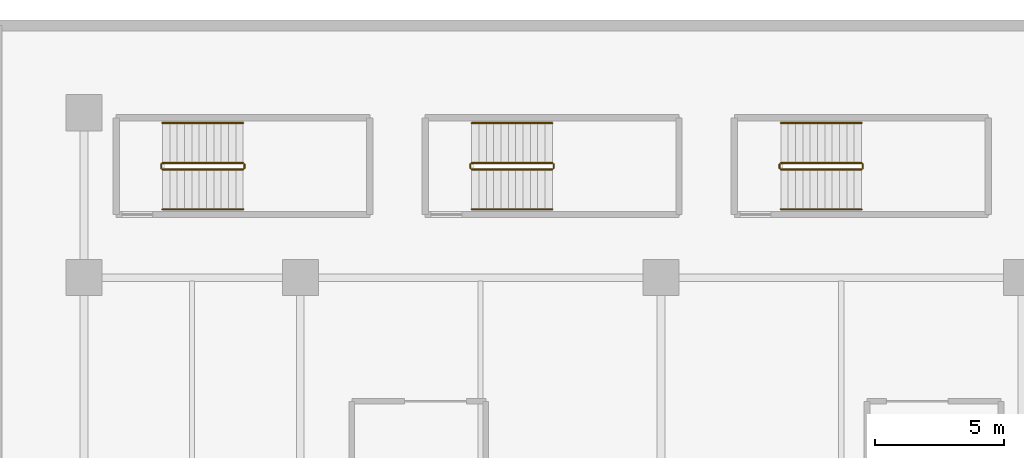
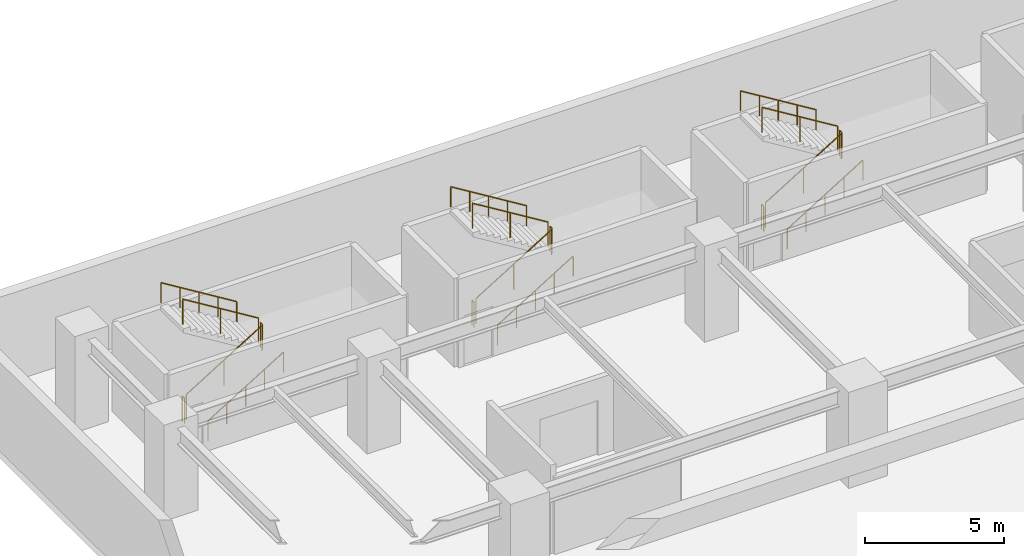
# One storey, part 24 of 25: 18 railings.
"""IFC4 building model written with IfcOpenShell, lengths in metres."""

from ifc_helpers import new_model, si_unit, direction, frame, origin, origin_2d, place, context, subcontext, project, spatial, circle, extrude, material, type_object, element, save


model = new_model("IFC4")

# Units and contexts
model_context = context("Model", 3, precision=1e-05, world=origin(), true_north=direction((0.0, 1.0)))
body_context = subcontext(model_context, "Body", "Model", "MODEL_VIEW")
ifc_project = project(units=[si_unit("LENGTHUNIT", "METRE"), si_unit("AREAUNIT", "SQUARE_METRE"), si_unit("VOLUMEUNIT", "CUBIC_METRE"), si_unit("PLANEANGLEUNIT", "RADIAN"), si_unit("MASSUNIT", "GRAM", prefix="KILO")], contexts=[model_context])

# Site, building, storey
site_placement = place(None, origin())
site = spatial("IfcSite", under=ifc_project, at=site_placement, CompositionType="ELEMENT")
building_placement = place(site_placement, origin())
building = spatial("IfcBuilding", under=site, at=building_placement, Name="Narakoshi Arena Tower", CompositionType="ELEMENT")
storey_placement = place(building_placement, frame((0.0, 0.0, 9.0)))
storey = spatial("IfcBuildingStorey", under=building, at=storey_placement, Name="L02", CompositionType="ELEMENT", Elevation=9.0)

# Railings
ifc_material_1 = material(Name="Clear low-iron laminated structural glass", Category="glass")
railing_type_1 = type_object("IfcRailingType", Name="RL-BAL-1100", PredefinedType="BALUSTRADE", material=ifc_material_1)
railing_1_placement = place(storey_placement, frame((6.64990234375, 90.199951171875, 0.175048828125)))
element("IfcRailing", 1, at=railing_1_placement, inside=storey, type_object=railing_type_1, Name="L02 AST5 stair guard 1", PredefinedType="BALUSTRADE", context=body_context, shape_type="SweptSolid", body=[
    extrude(circle(Radius=0.02392578125, at=origin_2d()), frame((0.0, 0.0, 1.09619140625), z_axis=(0.852166034122, 0.0, 0.523271488128), x_axis=(0.0, 1.0, 0.0)), (0.0, 0.0, 1.0), 3.678955078125),
    extrude(circle(Radius=0.02099609375, at=origin_2d()), origin(), (0.0, 0.0, 1.0), 1.072021484375),
    extrude(circle(Radius=0.02099609375, at=origin_2d()), frame((1.5673828125, 0.0, 0.96240234375)), (0.0, 0.0, 1.0), 1.072021484375),
    extrude(circle(Radius=0.02099609375, at=origin_2d()), frame((3.135009765625, 0.0, 1.925048828125)), (0.0, 0.0, 1.0), 1.072021484375),
])
railing_2_placement = place(storey_placement, frame((9.8349609375, 90.25, 2.10009765625)))
element("IfcRailing", 2, at=railing_2_placement, inside=storey, type_object=railing_type_1, Name="L02 AST5 stair guard 2", PredefinedType="BALUSTRADE", context=body_context, shape_type="SweptSolid", body=[
    extrude(circle(Radius=0.02392578125, at=origin_2d()), frame((0.0, 0.0, 1.09619140625), z_axis=(0.0, 1.0, 0.0), x_axis=(-1.0, 0.0, 0.0)), (0.0, 0.0, 1.0), 0.14990234375),
    extrude(circle(Radius=0.02099609375, at=origin_2d()), origin(), (0.0, 0.0, 1.0), 1.072021484375),
    extrude(circle(Radius=0.02099609375, at=origin_2d()), frame((0.0, 0.14990234375, 0.0)), (0.0, 0.0, 1.0), 1.072021484375),
])
railing_3_placement = place(storey_placement, frame((9.784912109375, 90.449951171875, 2.27490234375)))
element("IfcRailing", 3, at=railing_3_placement, inside=storey, type_object=railing_type_1, Name="L02 AST5 stair guard 3", PredefinedType="BALUSTRADE", context=body_context, shape_type="SweptSolid", body=[
    extrude(circle(Radius=0.02392578125, at=origin_2d()), frame((0.0, 0.0, 1.09619140625), z_axis=(-0.852166034122, 0.0, 0.523271488128), x_axis=(0.0, -1.0, 0.0)), (0.0, 0.0, 1.0), 3.678955078125),
    extrude(circle(Radius=0.02099609375, at=origin_2d()), origin(), (0.0, 0.0, 1.0), 1.072021484375),
    extrude(circle(Radius=0.02099609375, at=origin_2d()), frame((-1.5673828125, 0.0, 0.96240234375)), (0.0, 0.0, 1.0), 1.072021484375),
    extrude(circle(Radius=0.02099609375, at=origin_2d()), frame((-3.135009765625, 0.0, 1.925048828125)), (0.0, 0.0, 1.0), 1.072021484375),
])
railing_4_placement = place(storey_placement, frame((6.60009765625, 90.25, 0.0)))
element("IfcRailing", 4, at=railing_4_placement, inside=storey, type_object=railing_type_1, Name="L02 AST5 stair guard 4", PredefinedType="BALUSTRADE", context=body_context, shape_type="SweptSolid", body=[
    extrude(circle(Radius=0.02392578125, at=origin_2d()), frame((0.0, 0.0, 1.09619140625), z_axis=(0.0, 1.0, 0.0), x_axis=(-1.0, 0.0, 0.0)), (0.0, 0.0, 1.0), 0.14990234375),
    extrude(circle(Radius=0.02099609375, at=origin_2d()), origin(), (0.0, 0.0, 1.0), 1.072021484375),
    extrude(circle(Radius=0.02099609375, at=origin_2d()), frame((0.0, 0.14990234375, 0.0)), (0.0, 0.0, 1.0), 1.072021484375),
])
railing_5_placement = place(storey_placement, frame((18.64990234375, 90.199951171875, 0.175048828125)))
element("IfcRailing", 5, at=railing_5_placement, inside=storey, type_object=railing_type_1, Name="L02 AST6 stair guard 1", PredefinedType="BALUSTRADE", context=body_context, shape_type="SweptSolid", body=[
    extrude(circle(Radius=0.02392578125, at=origin_2d()), frame((0.0, 0.0, 1.09619140625), z_axis=(0.852166034122, 0.0, 0.523271488128), x_axis=(0.0, 1.0, 0.0)), (0.0, 0.0, 1.0), 3.678955078125),
    extrude(circle(Radius=0.02099609375, at=origin_2d()), origin(), (0.0, 0.0, 1.0), 1.072021484375),
    extrude(circle(Radius=0.02099609375, at=origin_2d()), frame((1.5673828125, 0.0, 0.96240234375)), (0.0, 0.0, 1.0), 1.072021484375),
    extrude(circle(Radius=0.02099609375, at=origin_2d()), frame((3.135009765625, 0.0, 1.925048828125)), (0.0, 0.0, 1.0), 1.072021484375),
])
railing_6_placement = place(storey_placement, frame((21.8349609375, 90.25, 2.10009765625)))
element("IfcRailing", 6, at=railing_6_placement, inside=storey, type_object=railing_type_1, Name="L02 AST6 stair guard 2", PredefinedType="BALUSTRADE", context=body_context, shape_type="SweptSolid", body=[
    extrude(circle(Radius=0.02392578125, at=origin_2d()), frame((0.0, 0.0, 1.09619140625), z_axis=(0.0, 1.0, 0.0), x_axis=(-1.0, 0.0, 0.0)), (0.0, 0.0, 1.0), 0.14990234375),
    extrude(circle(Radius=0.02099609375, at=origin_2d()), origin(), (0.0, 0.0, 1.0), 1.072021484375),
    extrude(circle(Radius=0.02099609375, at=origin_2d()), frame((0.0, 0.14990234375, 0.0)), (0.0, 0.0, 1.0), 1.072021484375),
])
railing_7_placement = place(storey_placement, frame((21.784912109375, 90.449951171875, 2.27490234375)))
element("IfcRailing", 7, at=railing_7_placement, inside=storey, type_object=railing_type_1, Name="L02 AST6 stair guard 3", PredefinedType="BALUSTRADE", context=body_context, shape_type="SweptSolid", body=[
    extrude(circle(Radius=0.02392578125, at=origin_2d()), frame((0.0, 0.0, 1.09619140625), z_axis=(-0.852166034122, 0.0, 0.523271488128), x_axis=(0.0, -1.0, 0.0)), (0.0, 0.0, 1.0), 3.678955078125),
    extrude(circle(Radius=0.02099609375, at=origin_2d()), origin(), (0.0, 0.0, 1.0), 1.072021484375),
    extrude(circle(Radius=0.02099609375, at=origin_2d()), frame((-1.5673828125, 0.0, 0.96240234375)), (0.0, 0.0, 1.0), 1.072021484375),
    extrude(circle(Radius=0.02099609375, at=origin_2d()), frame((-3.135009765625, 0.0, 1.925048828125)), (0.0, 0.0, 1.0), 1.072021484375),
])
railing_8_placement = place(storey_placement, frame((18.60009765625, 90.25, 0.0)))
element("IfcRailing", 8, at=railing_8_placement, inside=storey, type_object=railing_type_1, Name="L02 AST6 stair guard 4", PredefinedType="BALUSTRADE", context=body_context, shape_type="SweptSolid", body=[
    extrude(circle(Radius=0.02392578125, at=origin_2d()), frame((0.0, 0.0, 1.09619140625), z_axis=(0.0, 1.0, 0.0), x_axis=(-1.0, 0.0, 0.0)), (0.0, 0.0, 1.0), 0.14990234375),
    extrude(circle(Radius=0.02099609375, at=origin_2d()), origin(), (0.0, 0.0, 1.0), 1.072021484375),
    extrude(circle(Radius=0.02099609375, at=origin_2d()), frame((0.0, 0.14990234375, 0.0)), (0.0, 0.0, 1.0), 1.072021484375),
])
railing_9_placement = place(storey_placement, frame((30.64990234375, 90.199951171875, 0.175048828125)))
element("IfcRailing", 9, at=railing_9_placement, inside=storey, type_object=railing_type_1, Name="L02 AST7 stair guard 1", PredefinedType="BALUSTRADE", context=body_context, shape_type="SweptSolid", body=[
    extrude(circle(Radius=0.02392578125, at=origin_2d()), frame((0.0, 0.0, 1.09619140625), z_axis=(0.852166034122, 0.0, 0.523271488128), x_axis=(0.0, 1.0, 0.0)), (0.0, 0.0, 1.0), 3.678955078125),
    extrude(circle(Radius=0.02099609375, at=origin_2d()), origin(), (0.0, 0.0, 1.0), 1.072021484375),
    extrude(circle(Radius=0.02099609375, at=origin_2d()), frame((1.5673828125, 0.0, 0.96240234375)), (0.0, 0.0, 1.0), 1.072021484375),
    extrude(circle(Radius=0.02099609375, at=origin_2d()), frame((3.135009765625, 0.0, 1.925048828125)), (0.0, 0.0, 1.0), 1.072021484375),
])
railing_10_placement = place(storey_placement, frame((33.8349609375, 90.25, 2.10009765625)))
element("IfcRailing", 10, at=railing_10_placement, inside=storey, type_object=railing_type_1, Name="L02 AST7 stair guard 2", PredefinedType="BALUSTRADE", context=body_context, shape_type="SweptSolid", body=[
    extrude(circle(Radius=0.02392578125, at=origin_2d()), frame((0.0, 0.0, 1.09619140625), z_axis=(0.0, 1.0, 0.0), x_axis=(-1.0, 0.0, 0.0)), (0.0, 0.0, 1.0), 0.14990234375),
    extrude(circle(Radius=0.02099609375, at=origin_2d()), origin(), (0.0, 0.0, 1.0), 1.072021484375),
    extrude(circle(Radius=0.02099609375, at=origin_2d()), frame((0.0, 0.14990234375, 0.0)), (0.0, 0.0, 1.0), 1.072021484375),
])
railing_11_placement = place(storey_placement, frame((33.784912109375, 90.449951171875, 2.27490234375)))
element("IfcRailing", 11, at=railing_11_placement, inside=storey, type_object=railing_type_1, Name="L02 AST7 stair guard 3", PredefinedType="BALUSTRADE", context=body_context, shape_type="SweptSolid", body=[
    extrude(circle(Radius=0.02392578125, at=origin_2d()), frame((0.0, 0.0, 1.09619140625), z_axis=(-0.852166034122, 0.0, 0.523271488128), x_axis=(0.0, -1.0, 0.0)), (0.0, 0.0, 1.0), 3.678955078125),
    extrude(circle(Radius=0.02099609375, at=origin_2d()), origin(), (0.0, 0.0, 1.0), 1.072021484375),
    extrude(circle(Radius=0.02099609375, at=origin_2d()), frame((-1.5673828125, 0.0, 0.96240234375)), (0.0, 0.0, 1.0), 1.072021484375),
    extrude(circle(Radius=0.02099609375, at=origin_2d()), frame((-3.135009765625, 0.0, 1.925048828125)), (0.0, 0.0, 1.0), 1.072021484375),
])
railing_12_placement = place(storey_placement, frame((30.60009765625, 90.25, 0.0)))
element("IfcRailing", 12, at=railing_12_placement, inside=storey, type_object=railing_type_1, Name="L02 AST7 stair guard 4", PredefinedType="BALUSTRADE", context=body_context, shape_type="SweptSolid", body=[
    extrude(circle(Radius=0.02392578125, at=origin_2d()), frame((0.0, 0.0, 1.09619140625), z_axis=(0.0, 1.0, 0.0), x_axis=(-1.0, 0.0, 0.0)), (0.0, 0.0, 1.0), 0.14990234375),
    extrude(circle(Radius=0.02099609375, at=origin_2d()), origin(), (0.0, 0.0, 1.0), 1.072021484375),
    extrude(circle(Radius=0.02099609375, at=origin_2d()), frame((0.0, 0.14990234375, 0.0)), (0.0, 0.0, 1.0), 1.072021484375),
])
ifc_material_2 = material(Name="Brushed bronze stainless steel", Category="steel")
railing_type_2 = type_object("IfcRailingType", Name="RL-HND-900", PredefinedType="HANDRAIL", material=ifc_material_2)
railing_13_placement = place(storey_placement, frame((6.64990234375, 88.64990234375, 0.175048828125)))
element("IfcRailing", 13, at=railing_13_placement, inside=storey, type_object=railing_type_2, Name="L02 AST5 stair handrail 1", PredefinedType="HANDRAIL", context=body_context, shape_type="SweptSolid", body=[
    extrude(circle(Radius=0.02392578125, at=origin_2d()), frame((0.0, 0.0, 0.8759765625), z_axis=(0.852166034122, 0.0, 0.523271488128), x_axis=(0.0, 1.0, 0.0)), (0.0, 0.0, 1.0), 3.678955078125),
    extrude(circle(Radius=0.02099609375, at=origin_2d()), origin(), (0.0, 0.0, 1.0), 0.851806640625),
    extrude(circle(Radius=0.02099609375, at=origin_2d()), frame((0.78369140625, 0.0, 0.481201171875)), (0.0, 0.0, 1.0), 0.851806640625),
    extrude(circle(Radius=0.02099609375, at=origin_2d()), frame((1.5673828125, 0.0, 0.96240234375)), (0.0, 0.0, 1.0), 0.851806640625),
    extrude(circle(Radius=0.02099609375, at=origin_2d()), frame((2.351318359375, 0.0, 1.44384765625)), (0.0, 0.0, 1.0), 0.851806640625),
    extrude(circle(Radius=0.02099609375, at=origin_2d()), frame((3.135009765625, 0.0, 1.925048828125)), (0.0, 0.0, 1.0), 0.851806640625),
])
railing_14_placement = place(storey_placement, frame((9.784912109375, 92.0, 2.27490234375)))
element("IfcRailing", 14, at=railing_14_placement, inside=storey, type_object=railing_type_2, Name="L02 AST5 stair handrail 2", PredefinedType="HANDRAIL", context=body_context, shape_type="SweptSolid", body=[
    extrude(circle(Radius=0.02392578125, at=origin_2d()), frame((0.0, 0.0, 0.8759765625), z_axis=(-0.852166034122, 0.0, 0.523271488128), x_axis=(0.0, -1.0, 0.0)), (0.0, 0.0, 1.0), 3.678955078125),
    extrude(circle(Radius=0.02099609375, at=origin_2d()), origin(), (0.0, 0.0, 1.0), 0.851806640625),
    extrude(circle(Radius=0.02099609375, at=origin_2d()), frame((-0.78369140625, 0.0, 0.481201171875)), (0.0, 0.0, 1.0), 0.851806640625),
    extrude(circle(Radius=0.02099609375, at=origin_2d()), frame((-1.5673828125, 0.0, 0.96240234375)), (0.0, 0.0, 1.0), 0.851806640625),
    extrude(circle(Radius=0.02099609375, at=origin_2d()), frame((-2.351318359375, 0.0, 1.44384765625)), (0.0, 0.0, 1.0), 0.851806640625),
    extrude(circle(Radius=0.02099609375, at=origin_2d()), frame((-3.135009765625, 0.0, 1.925048828125)), (0.0, 0.0, 1.0), 0.851806640625),
])
railing_15_placement = place(storey_placement, frame((18.64990234375, 88.64990234375, 0.175048828125)))
element("IfcRailing", 15, at=railing_15_placement, inside=storey, type_object=railing_type_2, Name="L02 AST6 stair handrail 1", PredefinedType="HANDRAIL", context=body_context, shape_type="SweptSolid", body=[
    extrude(circle(Radius=0.02392578125, at=origin_2d()), frame((0.0, 0.0, 0.8759765625), z_axis=(0.852166034122, 0.0, 0.523271488128), x_axis=(0.0, 1.0, 0.0)), (0.0, 0.0, 1.0), 3.678955078125),
    extrude(circle(Radius=0.02099609375, at=origin_2d()), origin(), (0.0, 0.0, 1.0), 0.851806640625),
    extrude(circle(Radius=0.02099609375, at=origin_2d()), frame((0.78369140625, 0.0, 0.481201171875)), (0.0, 0.0, 1.0), 0.851806640625),
    extrude(circle(Radius=0.02099609375, at=origin_2d()), frame((1.5673828125, 0.0, 0.96240234375)), (0.0, 0.0, 1.0), 0.851806640625),
    extrude(circle(Radius=0.02099609375, at=origin_2d()), frame((2.351318359375, 0.0, 1.44384765625)), (0.0, 0.0, 1.0), 0.851806640625),
    extrude(circle(Radius=0.02099609375, at=origin_2d()), frame((3.135009765625, 0.0, 1.925048828125)), (0.0, 0.0, 1.0), 0.851806640625),
])
railing_16_placement = place(storey_placement, frame((21.784912109375, 92.0, 2.27490234375)))
element("IfcRailing", 16, at=railing_16_placement, inside=storey, type_object=railing_type_2, Name="L02 AST6 stair handrail 2", PredefinedType="HANDRAIL", context=body_context, shape_type="SweptSolid", body=[
    extrude(circle(Radius=0.02392578125, at=origin_2d()), frame((0.0, 0.0, 0.8759765625), z_axis=(-0.852166034122, 0.0, 0.523271488128), x_axis=(0.0, -1.0, 0.0)), (0.0, 0.0, 1.0), 3.678955078125),
    extrude(circle(Radius=0.02099609375, at=origin_2d()), origin(), (0.0, 0.0, 1.0), 0.851806640625),
    extrude(circle(Radius=0.02099609375, at=origin_2d()), frame((-0.78369140625, 0.0, 0.481201171875)), (0.0, 0.0, 1.0), 0.851806640625),
    extrude(circle(Radius=0.02099609375, at=origin_2d()), frame((-1.5673828125, 0.0, 0.96240234375)), (0.0, 0.0, 1.0), 0.851806640625),
    extrude(circle(Radius=0.02099609375, at=origin_2d()), frame((-2.351318359375, 0.0, 1.44384765625)), (0.0, 0.0, 1.0), 0.851806640625),
    extrude(circle(Radius=0.02099609375, at=origin_2d()), frame((-3.135009765625, 0.0, 1.925048828125)), (0.0, 0.0, 1.0), 0.851806640625),
])
railing_17_placement = place(storey_placement, frame((30.64990234375, 88.64990234375, 0.175048828125)))
element("IfcRailing", 17, at=railing_17_placement, inside=storey, type_object=railing_type_2, Name="L02 AST7 stair handrail 1", PredefinedType="HANDRAIL", context=body_context, shape_type="SweptSolid", body=[
    extrude(circle(Radius=0.02392578125, at=origin_2d()), frame((0.0, 0.0, 0.8759765625), z_axis=(0.852166034122, 0.0, 0.523271488128), x_axis=(0.0, 1.0, 0.0)), (0.0, 0.0, 1.0), 3.678955078125),
    extrude(circle(Radius=0.02099609375, at=origin_2d()), origin(), (0.0, 0.0, 1.0), 0.851806640625),
    extrude(circle(Radius=0.02099609375, at=origin_2d()), frame((0.78369140625, 0.0, 0.481201171875)), (0.0, 0.0, 1.0), 0.851806640625),
    extrude(circle(Radius=0.02099609375, at=origin_2d()), frame((1.5673828125, 0.0, 0.96240234375)), (0.0, 0.0, 1.0), 0.851806640625),
    extrude(circle(Radius=0.02099609375, at=origin_2d()), frame((2.351318359375, 0.0, 1.44384765625)), (0.0, 0.0, 1.0), 0.851806640625),
    extrude(circle(Radius=0.02099609375, at=origin_2d()), frame((3.135009765625, 0.0, 1.925048828125)), (0.0, 0.0, 1.0), 0.851806640625),
])
railing_18_placement = place(storey_placement, frame((33.784912109375, 92.0, 2.27490234375)))
element("IfcRailing", 18, at=railing_18_placement, inside=storey, type_object=railing_type_2, Name="L02 AST7 stair handrail 2", PredefinedType="HANDRAIL", context=body_context, shape_type="SweptSolid", body=[
    extrude(circle(Radius=0.02392578125, at=origin_2d()), frame((0.0, 0.0, 0.8759765625), z_axis=(-0.852166034122, 0.0, 0.523271488128), x_axis=(0.0, -1.0, 0.0)), (0.0, 0.0, 1.0), 3.678955078125),
    extrude(circle(Radius=0.02099609375, at=origin_2d()), origin(), (0.0, 0.0, 1.0), 0.851806640625),
    extrude(circle(Radius=0.02099609375, at=origin_2d()), frame((-0.78369140625, 0.0, 0.481201171875)), (0.0, 0.0, 1.0), 0.851806640625),
    extrude(circle(Radius=0.02099609375, at=origin_2d()), frame((-1.5673828125, 0.0, 0.96240234375)), (0.0, 0.0, 1.0), 0.851806640625),
    extrude(circle(Radius=0.02099609375, at=origin_2d()), frame((-2.351318359375, 0.0, 1.44384765625)), (0.0, 0.0, 1.0), 0.851806640625),
    extrude(circle(Radius=0.02099609375, at=origin_2d()), frame((-3.135009765625, 0.0, 1.925048828125)), (0.0, 0.0, 1.0), 0.851806640625),
])

save(model, "model.ifc")
